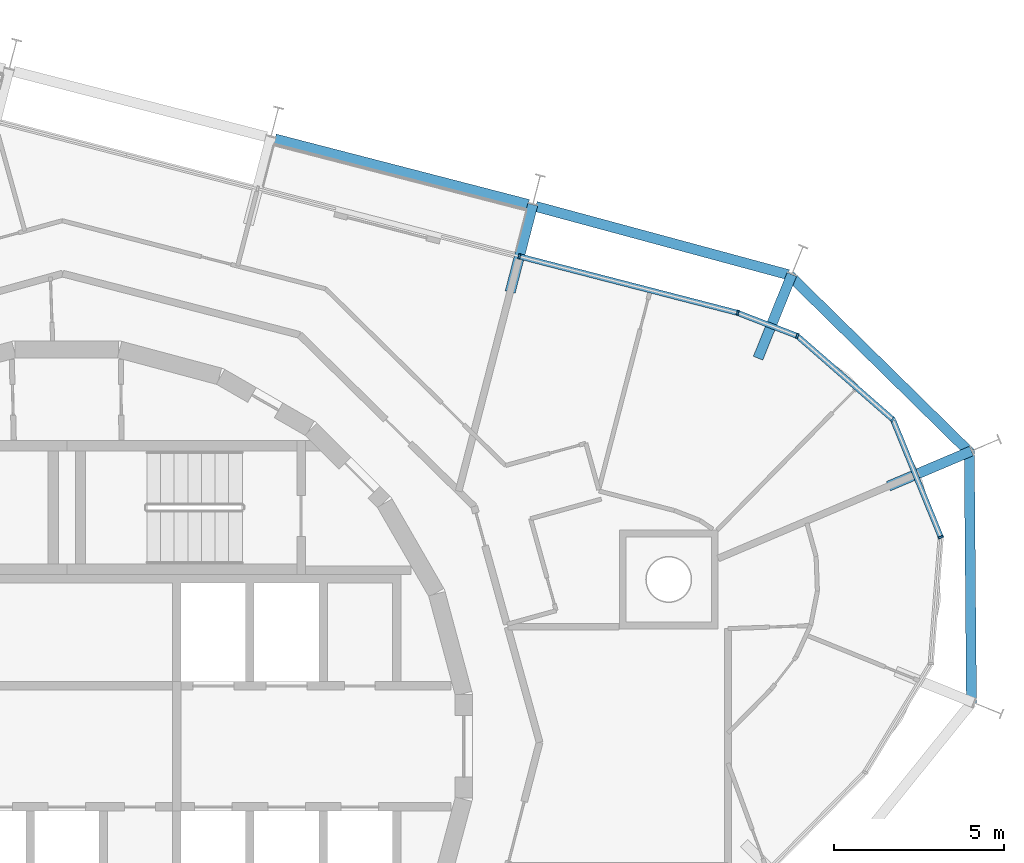
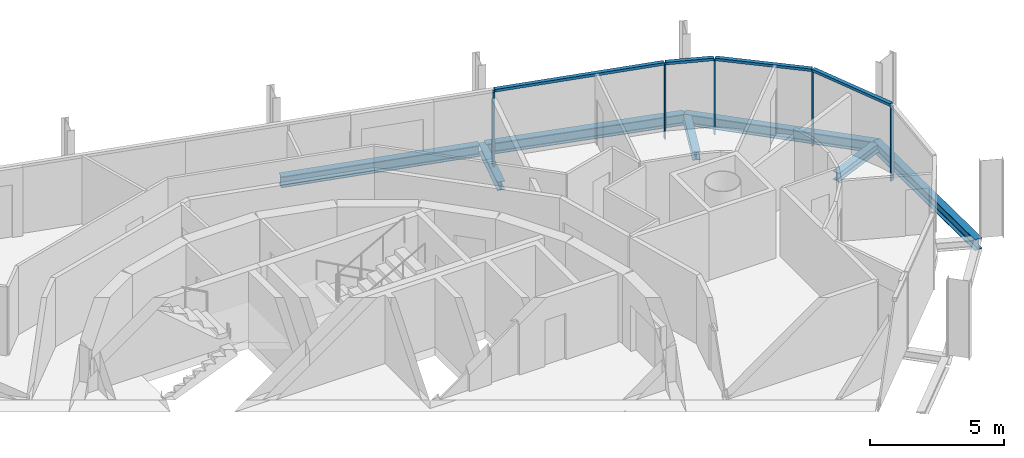
# One storey, part 7 of 15: 9 members, 7 beams, 2 elements without a shape of their own.
"""IFC4 building model written with IfcOpenShell, lengths in metres."""

from ifc_helpers import new_model, si_unit, direction, frame, origin, origin_2d, place, context, subcontext, project, spatial, rectangle, i_section, extrude, material, layer, layer_set, material_profile, profile_set, type_object, element, aggregate, save


model = new_model("IFC4")

# Units and contexts
model_context = context("Model", 3, precision=1e-05, world=origin(), true_north=direction((0.0, 1.0)))
body_context = subcontext(model_context, "Body", "Model", "MODEL_VIEW")
ifc_project = project(units=[si_unit("LENGTHUNIT", "METRE"), si_unit("AREAUNIT", "SQUARE_METRE"), si_unit("VOLUMEUNIT", "CUBIC_METRE"), si_unit("PLANEANGLEUNIT", "RADIAN"), si_unit("MASSUNIT", "GRAM", prefix="KILO")], contexts=[model_context])

# Site, building, storey
site_placement = place(None, origin())
site = spatial("IfcSite", under=ifc_project, at=site_placement, CompositionType="ELEMENT")
building_placement = place(site_placement, origin())
building = spatial("IfcBuilding", under=site, at=building_placement, Name="Spindle Arch Residences", CompositionType="ELEMENT")
storey_placement = place(building_placement, frame((0.0, 0.0, 315.699951171875)))
storey = spatial("IfcBuildingStorey", under=building, at=storey_placement, Name="L81", CompositionType="ELEMENT", Elevation=315.699951171875)

# Curtain wall, members
ifc_material_1 = material(Name="Aluminium bronze unitised frame with tinted glass", Category="aluminium")
ifc_layer_1 = layer(ifc_material_1, 0.159912109375)
ifc_layer_set_1 = layer_set([ifc_layer_1], Name="CW-D corner wall on the fillet arcs")
curtain_wall_type_1 = type_object("IfcCurtainWallType", Name="CW-D corner wall on the fillet arcs", PredefinedType="NOTDEFINED", material=ifc_layer_set_1)
curtain_wall_1_placement = place(storey_placement, origin())
curtain_wall_1 = element("IfcCurtainWall", 1, at=curtain_wall_1_placement, inside=storey, type_object=curtain_wall_type_1, Name="CW-D L81 run 1", PredefinedType="NOTDEFINED")
ifc_material_2 = material(Name="Aluminium bronze anodised mullion", Category="aluminium")
ifc_material_profile_1 = material_profile(ifc_material_2, rectangle(XDim=0.159912109375, YDim=0.06005859375, at=origin_2d()), Name="MU 60x160")
ifc_profile_set_1 = profile_set([ifc_material_profile_1], Name="Aluminium bronze anodised mullion")
member_type_1 = type_object("IfcMemberType", Name="Bronze mullion 60x160", PredefinedType="MULLION", material=ifc_profile_set_1)
member_1_placement = place(storey_placement, frame((25.646728515625, 6.13916015625, -0.3798828125), z_axis=(0.0, 0.0, 1.0), x_axis=(-0.926090247396, -0.377302072189, 0.0)))
member_1 = element("IfcMember", 2, at=member_1_placement, type_object=member_type_1, Name="CW-D mullion 03", PredefinedType="MULLION", context=body_context, shape_type="SweptSolid", body=[
    extrude(rectangle(XDim=0.159912109375, YDim=0.06005859375, at=origin_2d()), origin(), (0.0, 0.0, 1.0), 3.3798828125),
])
member_2_placement = place(storey_placement, frame((24.24072265625, 9.59033203125, -0.3798828125), z_axis=(0.0, 0.0, 1.0), x_axis=(-0.658251611308, -0.752797991635, 0.0)))
member_2 = element("IfcMember", 3, at=member_2_placement, type_object=member_type_1, Name="CW-D mullion 04", PredefinedType="MULLION", context=body_context, shape_type="SweptSolid", body=[
    extrude(rectangle(XDim=0.159912109375, YDim=0.06005859375, at=origin_2d()), origin(), (0.0, 0.0, 1.0), 3.3798828125),
])
member_3_placement = place(storey_placement, frame((21.435302734375, 12.04345703125, -0.3798828125), z_axis=(0.0, 0.0, 1.0), x_axis=(-0.361082099353, -0.932534030225, 0.0)))
member_3 = element("IfcMember", 4, at=member_3_placement, type_object=member_type_1, Name="CW-D mullion 05", PredefinedType="MULLION", context=body_context, shape_type="SweptSolid", body=[
    extrude(rectangle(XDim=0.159912109375, YDim=0.06005859375, at=origin_2d()), origin(), (0.0, 0.0, 1.0), 3.3798828125),
])
member_4_placement = place(storey_placement, frame((19.685791015625, 12.720947265625, -0.3798828125), z_axis=(0.0, 0.0, 1.0), x_axis=(-0.250380004054, -0.968147640378, 0.0)))
member_4 = element("IfcMember", 5, at=member_4_placement, type_object=member_type_1, Name="CW-D mullion 06", PredefinedType="MULLION", context=body_context, shape_type="SweptSolid", body=[
    extrude(rectangle(XDim=0.159912109375, YDim=0.06005859375, at=origin_2d()), origin(), (0.0, 0.0, 1.0), 3.3798828125),
])

# Curtain wall, member
ifc_material_3 = material(Name="Aluminium bronze unitised frame with tinted glass", Category="aluminium")
ifc_layer_2 = layer(ifc_material_3, 0.159912109375)
ifc_layer_set_2 = layer_set([ifc_layer_2], Name="CW-C typical residential unitised wall")
curtain_wall_type_2 = type_object("IfcCurtainWallType", Name="CW-C typical residential unitised wall", PredefinedType="NOTDEFINED", material=ifc_layer_set_2)
curtain_wall_2_placement = place(storey_placement, origin())
curtain_wall_2 = element("IfcCurtainWall", 6, at=curtain_wall_2_placement, inside=storey, type_object=curtain_wall_type_2, Name="CW-C L81 run 2", PredefinedType="NOTDEFINED")
member_5_placement = place(storey_placement, frame((13.280517578125, 14.37744140625, -0.3798828125), z_axis=(0.0, 0.0, 1.0), x_axis=(-0.250380004054, -0.968147640378, 0.0)))
member_5 = element("IfcMember", 7, at=member_5_placement, type_object=member_type_1, Name="CW-C mullion 05", PredefinedType="MULLION", context=body_context, shape_type="SweptSolid", body=[
    extrude(rectangle(XDim=0.159912109375, YDim=0.06005859375, at=origin_2d()), origin(), (0.0, 0.0, 1.0), 3.3798828125),
])
aggregate(curtain_wall_2, [member_5])

# Member
ifc_material_4 = material(Name="Aluminium bronze anodised transom", Category="aluminium")
ifc_material_profile_2 = material_profile(ifc_material_4, rectangle(XDim=0.159912109375, YDim=0.1201171875, at=origin_2d()), Name="TR 120x160")
ifc_profile_set_2 = profile_set([ifc_material_profile_2], Name="Aluminium bronze anodised transom")
member_type_2 = type_object("IfcMemberType", Name="Bronze transom 120x160", PredefinedType="USERDEFINED", material=ifc_profile_set_2)
member_6_placement = place(storey_placement, frame((25.635498046875, 6.166748046875, 3.06005859375), z_axis=(-0.377318036671, 0.926083743083, 0.0), x_axis=(-0.926083743083, -0.377318036671, 0.0)))
member_6 = element("IfcMember", 8, at=member_6_placement, type_object=member_type_2, Name="CW-D transom 03", ObjectType="TRANSOM", PredefinedType="USERDEFINED", context=body_context, shape_type="SweptSolid", body=[
    extrude(rectangle(XDim=0.159912109375, YDim=0.1201171875, at=origin_2d()), origin(), (0.0, 0.0, 1.0), 3.666748046875),
])

member_7_placement = place(storey_placement, frame((24.218017578125, 9.610107421875, 3.06005859375), z_axis=(-0.752799384177, 0.658250018749, 0.0), x_axis=(-0.658250018749, -0.752799384177, 0.0)))
member_7 = element("IfcMember", 9, at=member_7_placement, type_object=member_type_2, Name="CW-D transom 04", ObjectType="TRANSOM", PredefinedType="USERDEFINED", context=body_context, shape_type="SweptSolid", body=[
    extrude(rectangle(XDim=0.159912109375, YDim=0.1201171875, at=origin_2d()), origin(), (0.0, 0.0, 1.0), 3.666748046875),
])

member_8_placement = place(storey_placement, frame((21.4072265625, 12.054443359375, 3.06005859375), z_axis=(-0.932581237084, 0.360960158796, 0.0), x_axis=(-0.360960158796, -0.932581237084, 0.0)))
member_8 = element("IfcMember", 10, at=member_8_placement, type_object=member_type_2, Name="CW-D transom 05", ObjectType="TRANSOM", PredefinedType="USERDEFINED", context=body_context, shape_type="SweptSolid", body=[
    extrude(rectangle(XDim=0.159912109375, YDim=0.1201171875, at=origin_2d()), origin(), (0.0, 0.0, 1.0), 1.81591796875),
])

member_9_placement = place(storey_placement, frame((19.65673828125, 12.728515625, 3.06005859375), z_axis=(-0.968152514415, 0.250361156797, 0.0), x_axis=(-0.250361156797, -0.968152514415, 0.0)))
member_9 = element("IfcMember", 11, at=member_9_placement, type_object=member_type_2, Name="CW-D transom 06", ObjectType="TRANSOM", PredefinedType="USERDEFINED", context=body_context, shape_type="SweptSolid", body=[
    extrude(rectangle(XDim=0.159912109375, YDim=0.1201171875, at=origin_2d()), origin(), (0.0, 0.0, 1.0), 6.555908203125),
])

aggregate(curtain_wall_1, [member_1, member_6, member_2, member_7, member_3, member_8, member_4, member_9])

# Beams
ifc_material_5 = material(Name="Steel S460ML, intumescent coating R 120", Category="steel")
ifc_material_profile_3 = material_profile(ifc_material_5, i_section(OverallWidth=0.300048828125, OverallDepth=0.5, WebThickness=0.014404296875, FlangeThickness=0.028076171875, FilletRadius=0.027099609375, at=origin_2d()), Name="HEB 500")
ifc_profile_set_3 = profile_set([ifc_material_profile_3], Name="Steel S460ML, intumescent coating R 120")
beam_type_1 = type_object("IfcBeamType", Name="Exoskeleton edge beam HEB 500", PredefinedType="BEAM", material=ifc_profile_set_3)
for number, where, z_axis, x_axis, name in (
    (12, (26.54541015625, 1.238525390625, -0.6298828125), (-0.008657825592, 0.999962520326, 0.0), (-0.999962520326, -0.008657825592, 0.0), "Exoskeleton edge beam 3"),
    (13, (26.530517578125, 8.59375, -0.6298828125), (-0.713367950358, 0.700789674155, 0.0), (-0.700789674155, -0.713367950358, 0.0), "Exoskeleton edge beam 4"),
):
    element("IfcBeam", number, at=place(storey_placement, frame(where, z_axis=z_axis, x_axis=x_axis)), inside=storey, type_object=beam_type_1, Name=name, PredefinedType="BEAM", context=body_context, shape_type="SweptSolid", body=[
        extrude(i_section(OverallWidth=0.300048828125, OverallDepth=0.5, WebThickness=0.014404296875, FlangeThickness=0.028076171875, FilletRadius=0.027099609375, at=origin_2d()), origin(), (0.0, 0.0, 1.0), 7.47265625),
    ])
beam_1_placement = place(storey_placement, frame((21.16748046875, 13.842041015625, -0.6298828125), z_axis=(-0.965376606597, 0.260860130024, 0.0), x_axis=(-0.260860130024, -0.965376606597, 0.0)))
element("IfcBeam", 14, at=beam_1_placement, inside=storey, type_object=beam_type_1, Name="Exoskeleton edge beam 5", PredefinedType="BEAM", context=body_context, shape_type="SweptSolid", body=[
    extrude(i_section(OverallWidth=0.300048828125, OverallDepth=0.5, WebThickness=0.014404296875, FlangeThickness=0.028076171875, FilletRadius=0.027099609375, at=origin_2d()), origin(), (0.0, 0.0, 1.0), 7.671630859375),
])
beam_2_placement = place(storey_placement, frame((13.540283203125, 15.90087890625, -0.6298828125), z_axis=(-0.968149836341, 0.250371512743, 0.0), x_axis=(-0.250371512743, -0.968149836341, 0.0)))
element("IfcBeam", 15, at=beam_2_placement, inside=storey, type_object=beam_type_1, Name="Exoskeleton edge beam 6", PredefinedType="BEAM", context=body_context, shape_type="SweptSolid", body=[
    extrude(i_section(OverallWidth=0.300048828125, OverallDepth=0.5, WebThickness=0.014404296875, FlangeThickness=0.028076171875, FilletRadius=0.027099609375, at=origin_2d()), origin(), (0.0, 0.0, 1.0), 7.675048828125),
])
ifc_material_6 = material(Name="Steel S460ML, intumescent coating R 120", Category="steel")
ifc_material_profile_4 = material_profile(ifc_material_6, i_section(OverallWidth=0.300048828125, OverallDepth=0.389892578125, WebThickness=0.010986328125, FlangeThickness=0.01904296875, FilletRadius=0.027099609375, at=origin_2d()), Name="HEA 400")
ifc_profile_set_4 = profile_set([ifc_material_profile_4], Name="Steel S460ML, intumescent coating R 120")
beam_type_2 = type_object("IfcBeamType", Name="Floor outrigger HEA 400", PredefinedType="BEAM", material=ifc_profile_set_4)
for number, where, z_axis, x_axis, name in (
    (16, (26.54541015625, 8.669189453125, -0.574951171875), (-0.920502463847, -0.390736758, 0.0), (0.390736758, -0.920502463847, 0.0), "Floor outrigger 4"),
    (17, (21.27490234375, 13.8466796875, -0.574951171875), (-0.374327471234, -0.927296578382, 0.0), (0.927296578382, -0.374327471234, 0.0), "Floor outrigger 5"),
):
    element("IfcBeam", number, at=place(storey_placement, frame(where, z_axis=z_axis, x_axis=x_axis)), inside=storey, type_object=beam_type_2, Name=name, PredefinedType="BEAM", context=body_context, shape_type="SweptSolid", body=[
        extrude(i_section(OverallWidth=0.300048828125, OverallDepth=0.389892578125, WebThickness=0.010986328125, FlangeThickness=0.01904296875, FilletRadius=0.027099609375, at=origin_2d()), origin(), (0.0, 0.0, 1.0), 2.64990234375),
    ])
beam_3_placement = place(storey_placement, frame((13.673583984375, 15.8974609375, -0.574951171875), z_axis=(-0.250396221036, -0.968143446237, 0.0), x_axis=(0.968143446237, -0.250396221036, 0.0)))
element("IfcBeam", 18, at=beam_3_placement, inside=storey, type_object=beam_type_2, Name="Floor outrigger 6", PredefinedType="BEAM", context=body_context, shape_type="SweptSolid", body=[
    extrude(i_section(OverallWidth=0.300048828125, OverallDepth=0.389892578125, WebThickness=0.010986328125, FlangeThickness=0.01904296875, FilletRadius=0.027099609375, at=origin_2d()), origin(), (0.0, 0.0, 1.0), 2.650146484375),
])

save(model, "model.ifc")
